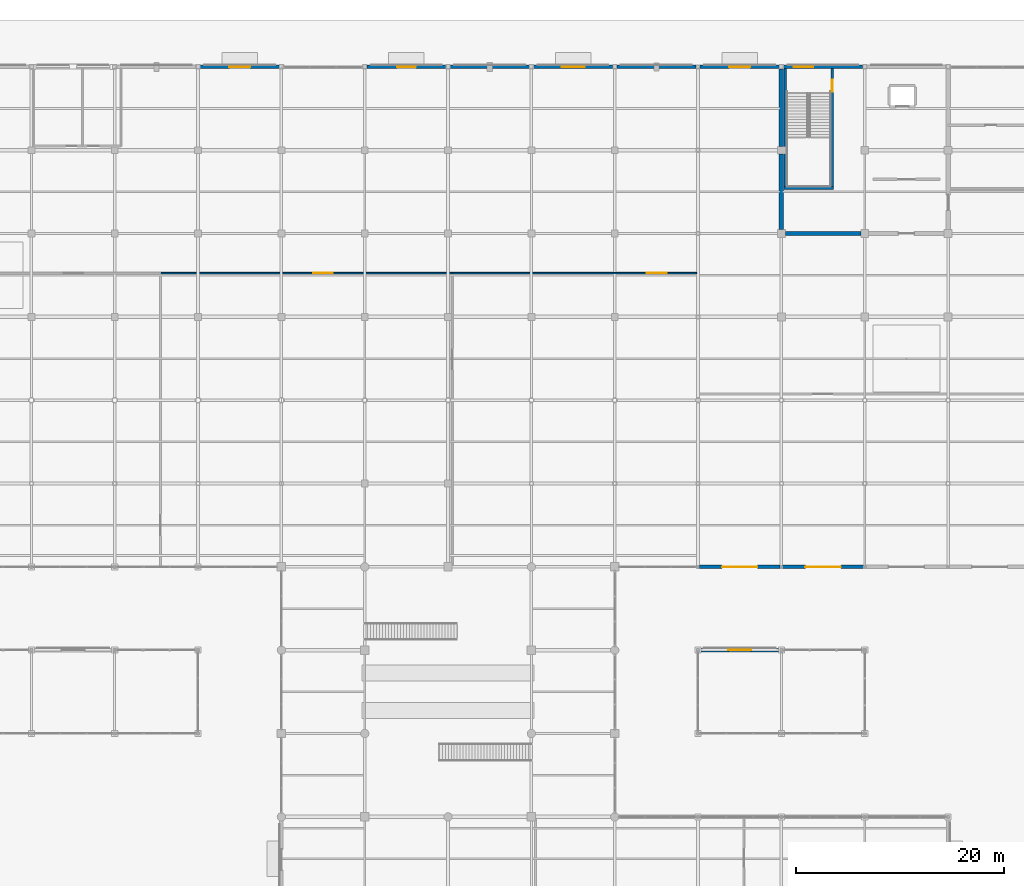
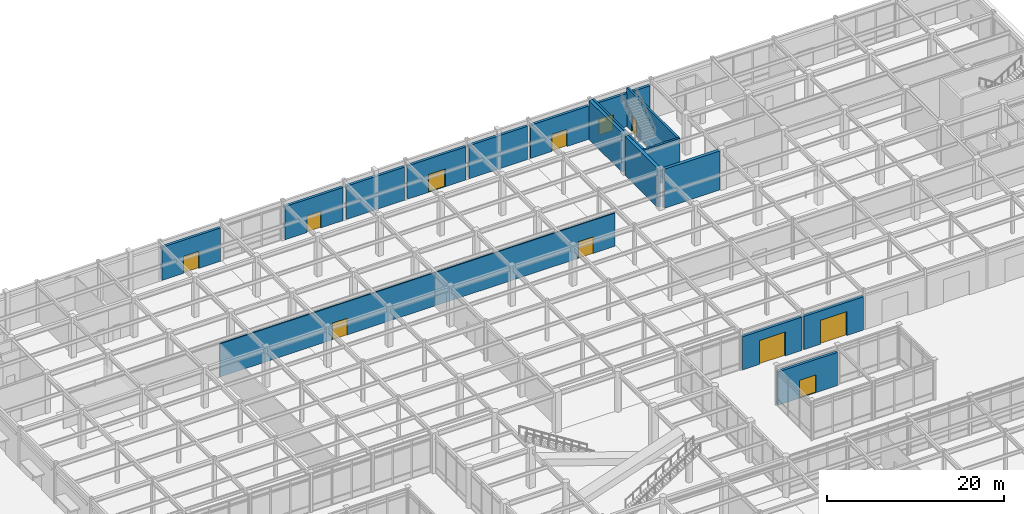
# One storey, part 105 of 128: 18 walls, 11 doors, 11 openings.
"""IFC4 building model written with IfcOpenShell, lengths in metres."""

from ifc_helpers import new_model, si_unit, direction, frame, frame_2d, origin, place, context, subcontext, project, spatial, rectangle, extrude, material, layer, layer_set, type_object, element, fill, save


model = new_model("IFC4")

# Units and contexts
model_context = context("Model", 3, precision=1e-05, world=origin(), true_north=direction((0.0, 1.0)))
body_context = subcontext(model_context, "Body", "Model", "MODEL_VIEW")
ifc_project = project(units=[si_unit("LENGTHUNIT", "METRE"), si_unit("AREAUNIT", "SQUARE_METRE"), si_unit("VOLUMEUNIT", "CUBIC_METRE"), si_unit("PLANEANGLEUNIT", "RADIAN"), si_unit("MASSUNIT", "GRAM", prefix="KILO")], contexts=[model_context])

# Site, building, storey
site_placement = place(None, origin())
site = spatial("IfcSite", under=ifc_project, at=site_placement, CompositionType="ELEMENT")
building_placement = place(site_placement, origin())
building = spatial("IfcBuilding", under=site, at=building_placement, Name="Solmirada Galleria", CompositionType="ELEMENT")
storey_placement = place(building_placement, origin())
storey = spatial("IfcBuildingStorey", under=building, at=storey_placement, Name="L00", CompositionType="ELEMENT", Elevation=0.0)

# Walls
ifc_material_1 = material(Name="Concrete C40/50", Category="concrete")
ifc_layer_1 = layer(ifc_material_1, 0.419921875)
ifc_layer_set_1 = layer_set([ifc_layer_1], Name="Concrete C40/50")
wall_type_1 = type_object("IfcWallType", Name="WL-CORE-420", PredefinedType="SHEAR", material=ifc_layer_set_1)
for number, where, z_axis, x_axis, name in (
    (1, (128.375, 104.0, 0.0), (0.0, 0.0, 1.0), (1.0, 0.0, 0.0), "Core C3 shear wall L00 S1"),
    (2, (128.0, 104.375, 0.0), (0.0, 0.0, 1.0), (0.0, 1.0, 0.0), "Core C3 shear wall L00 W1"),
):
    element("IfcWall", number, at=place(storey_placement, frame(where, z_axis=z_axis, x_axis=x_axis)), inside=storey, type_object=wall_type_1, Name=name, PredefinedType="SHEAR", context=body_context, shape_type="SweptSolid", body=[
        extrude(rectangle(XDim=7.25, YDim=0.419921875, at=frame_2d((3.625, 0.0))), origin(), (0.0, 0.0, 1.0), 5.3798828125),
    ])
wall_1_placement = place(storey_placement, frame((128.0, 112.375, 0.0), z_axis=(0.0, 0.0, 1.0), x_axis=(0.0, 1.0, 0.0)))
element("IfcWall", 3, at=wall_1_placement, inside=storey, type_object=wall_type_1, Name="Core C3 shear wall L00 W2", PredefinedType="SHEAR", context=body_context, shape_type="SweptSolid", body=[
    extrude(rectangle(XDim=7.422119140625, YDim=0.419921875, at=frame_2d((3.7109375, 0.0))), origin(), (0.0, 0.0, 1.0), 5.3798828125),
])

# Wall, opening, door
ifc_material_2 = material(Name="Precast concrete C40/50", Category="concrete")
ifc_layer_2 = layer(ifc_material_2, 0.340087890625)
ifc_layer_set_2 = layer_set([ifc_layer_2], Name="Precast concrete C40/50")
wall_type_2 = type_object("IfcWallType", Name="WL-EXT-340", PredefinedType="STANDARD", material=ifc_layer_set_2)
wall_2_placement = place(storey_placement, frame((72.202880859375, 120.0, 0.0), z_axis=(0.0, 0.0, 1.0), x_axis=(1.0, 0.0, 0.0)))
wall_2 = element("IfcWall", 4, at=wall_2_placement, inside=storey, type_object=wall_type_2, Name="Exterior wall L00 bay 020", PredefinedType="STANDARD", context=body_context, shape_type="SweptSolid", body=[
    extrude(rectangle(XDim=7.59423828125, YDim=0.340087890625, at=frame_2d((3.797119140625, 0.0))), origin(), (0.0, 0.0, 1.0), 4.580078125),
])
opening_1_placement = place(wall_2_placement, frame((2.797119140625, 0.0, 0.0)))
opening_1 = element("IfcOpeningElement", 5, at=opening_1_placement, cuts=wall_2, Name="Opening ED-007", PredefinedType="OPENING", context=body_context, shape_type="SweptSolid", body=[
    extrude(rectangle(XDim=2.0, YDim=2.35009765625, at=frame_2d((1.0, 1.175048828125))), frame((0.0, 0.179931640625, 0.0), z_axis=(0.0, -1.0, 0.0), x_axis=(1.0, 0.0, 0.0)), (0.0, 0.0, 1.0), 0.360107421875),
])
ifc_material_3 = material(Name="Thermally broken aluminium and laminated glass door", Category="aluminium")
door_type_1 = type_object("IfcDoorType", Name="DR-ENT-200X235", OperationType="DOUBLE_DOOR_SINGLE_SWING", PredefinedType="DOOR", material=ifc_material_3)
door_1_placement = place(opening_1_placement, origin())
door_1 = element("IfcDoor", 6, at=door_1_placement, inside=storey, type_object=door_type_1, Name="Public avenue entrance door ED-007", OperationType="DOUBLE_DOOR_SINGLE_SWING", OverallHeight=2.35009765625, OverallWidth=2.0, PredefinedType="DOOR", context=body_context, shape_type="SweptSolid", body=[
    extrude(rectangle(XDim=2.0, YDim=2.35009765625, at=frame_2d((1.0, 1.175048828125))), frame((0.0, 0.02490234375, 0.0), z_axis=(0.0, -1.0, 0.0), x_axis=(1.0, 0.0, 0.0)), (0.0, 0.0, 1.0), 0.050048828125),
])
fill(opening_1, door_1)

wall_3_placement = place(storey_placement, frame((88.202880859375, 120.0, 0.0), z_axis=(0.0, 0.0, 1.0), x_axis=(1.0, 0.0, 0.0)))
wall_3 = element("IfcWall", 7, at=wall_3_placement, inside=storey, type_object=wall_type_2, Name="Exterior wall L00 bay 022", PredefinedType="STANDARD", context=body_context, shape_type="SweptSolid", body=[
    extrude(rectangle(XDim=7.59423828125, YDim=0.340087890625, at=frame_2d((3.797119140625, 0.0))), origin(), (0.0, 0.0, 1.0), 4.580078125),
])
opening_2_placement = place(wall_3_placement, frame((2.89697265625, 0.0, 0.0)))
opening_2 = element("IfcOpeningElement", 8, at=opening_2_placement, cuts=wall_3, Name="Opening ED-008", PredefinedType="OPENING", context=body_context, shape_type="SweptSolid", body=[
    extrude(rectangle(XDim=1.800048828125, YDim=2.300048828125, at=frame_2d((0.89990234375, 1.14990234375))), frame((0.0, 0.179931640625, 0.0), z_axis=(0.0, -1.0, 0.0), x_axis=(1.0, 0.0, 0.0)), (0.0, 0.0, 1.0), 0.360107421875),
])
door_type_2 = type_object("IfcDoorType", Name="DR-ENT-180X230", OperationType="DOUBLE_DOOR_SINGLE_SWING", PredefinedType="DOOR", material=ifc_material_3)
door_2_placement = place(opening_2_placement, origin())
door_2 = element("IfcDoor", 9, at=door_2_placement, inside=storey, type_object=door_type_2, Name="Public avenue entrance door ED-008", OperationType="DOUBLE_DOOR_SINGLE_SWING", OverallHeight=2.300048828125, OverallWidth=1.800048828125, PredefinedType="DOOR", context=body_context, shape_type="SweptSolid", body=[
    extrude(rectangle(XDim=1.800048828125, YDim=2.300048828125, at=frame_2d((0.89990234375, 1.14990234375))), frame((0.0, 0.02490234375, 0.0), z_axis=(0.0, -1.0, 0.0), x_axis=(1.0, 0.0, 0.0)), (0.0, 0.0, 1.0), 0.050048828125),
])
fill(opening_2, door_2)

# Wall
wall_4_placement = place(storey_placement, frame((96.202880859375, 120.0, 0.0), z_axis=(0.0, 0.0, 1.0), x_axis=(1.0, 0.0, 0.0)))
element("IfcWall", 10, at=wall_4_placement, inside=storey, type_object=wall_type_2, Name="Exterior wall L00 bay 023", PredefinedType="STANDARD", context=body_context, shape_type="SweptSolid", body=[
    extrude(rectangle(XDim=7.59423828125, YDim=0.340087890625, at=frame_2d((3.797119140625, 0.0))), origin(), (0.0, 0.0, 1.0), 4.580078125),
])

# Wall, opening, door
wall_5_placement = place(storey_placement, frame((104.202880859375, 120.0, 0.0), z_axis=(0.0, 0.0, 1.0), x_axis=(1.0, 0.0, 0.0)))
wall_5 = element("IfcWall", 11, at=wall_5_placement, inside=storey, type_object=wall_type_2, Name="Exterior wall L00 bay 024", PredefinedType="STANDARD", context=body_context, shape_type="SweptSolid", body=[
    extrude(rectangle(XDim=7.59423828125, YDim=0.340087890625, at=frame_2d((3.797119140625, 0.0))), origin(), (0.0, 0.0, 1.0), 4.580078125),
])
opening_3_placement = place(wall_5_placement, frame((2.697021484375, 0.0, 0.0)))
opening_3 = element("IfcOpeningElement", 12, at=opening_3_placement, cuts=wall_5, Name="Opening ED-009", PredefinedType="OPENING", context=body_context, shape_type="SweptSolid", body=[
    extrude(rectangle(XDim=2.199951171875, YDim=2.449951171875, at=frame_2d((1.10009765625, 1.22509765625))), frame((0.0, 0.179931640625, 0.0), z_axis=(0.0, -1.0, 0.0), x_axis=(1.0, 0.0, 0.0)), (0.0, 0.0, 1.0), 0.360107421875),
])
door_type_3 = type_object("IfcDoorType", Name="DR-ENT-220X245", OperationType="DOUBLE_DOOR_SINGLE_SWING", PredefinedType="DOOR", material=ifc_material_3)
door_3_placement = place(opening_3_placement, origin())
door_3 = element("IfcDoor", 13, at=door_3_placement, inside=storey, type_object=door_type_3, Name="Public avenue entrance door ED-009", OperationType="DOUBLE_DOOR_SINGLE_SWING", OverallHeight=2.449951171875, OverallWidth=2.199951171875, PredefinedType="DOOR", context=body_context, shape_type="SweptSolid", body=[
    extrude(rectangle(XDim=2.199951171875, YDim=2.449951171875, at=frame_2d((1.10009765625, 1.22509765625))), frame((0.0, 0.02490234375, 0.0), z_axis=(0.0, -1.0, 0.0), x_axis=(1.0, 0.0, 0.0)), (0.0, 0.0, 1.0), 0.050048828125),
])
fill(opening_3, door_3)

# Wall
wall_6_placement = place(storey_placement, frame((112.202880859375, 120.0, 0.0), z_axis=(0.0, 0.0, 1.0), x_axis=(1.0, 0.0, 0.0)))
element("IfcWall", 14, at=wall_6_placement, inside=storey, type_object=wall_type_2, Name="Exterior wall L00 bay 025", PredefinedType="STANDARD", context=body_context, shape_type="SweptSolid", body=[
    extrude(rectangle(XDim=7.619140625, YDim=0.340087890625, at=frame_2d((3.8095703125, 0.0))), origin(), (0.0, 0.0, 1.0), 4.580078125),
])

# Wall, opening, door
wall_7_placement = place(storey_placement, frame((120.177978515625, 120.0, 0.0), z_axis=(0.0, 0.0, 1.0), x_axis=(1.0, 0.0, 0.0)))
wall_7 = element("IfcWall", 15, at=wall_7_placement, inside=storey, type_object=wall_type_2, Name="Exterior wall L00 bay 026", PredefinedType="STANDARD", context=body_context, shape_type="SweptSolid", body=[
    extrude(rectangle(XDim=7.619140625, YDim=0.340087890625, at=frame_2d((3.8095703125, 0.0))), origin(), (0.0, 0.0, 1.0), 4.580078125),
])
opening_4_placement = place(wall_7_placement, frame((2.80908203125, 0.0, 0.0)))
opening_4 = element("IfcOpeningElement", 16, at=opening_4_placement, cuts=wall_7, Name="Opening ED-010", PredefinedType="OPENING", context=body_context, shape_type="SweptSolid", body=[
    extrude(rectangle(XDim=2.0, YDim=2.35009765625, at=frame_2d((1.0, 1.175048828125))), frame((0.0, 0.179931640625, 0.0), z_axis=(0.0, -1.0, 0.0), x_axis=(1.0, 0.0, 0.0)), (0.0, 0.0, 1.0), 0.360107421875),
])
door_4_placement = place(opening_4_placement, origin())
door_4 = element("IfcDoor", 17, at=door_4_placement, inside=storey, type_object=door_type_1, Name="Public avenue entrance door ED-010", OperationType="DOUBLE_DOOR_SINGLE_SWING", OverallHeight=2.35009765625, OverallWidth=2.0, PredefinedType="DOOR", context=body_context, shape_type="SweptSolid", body=[
    extrude(rectangle(XDim=2.0, YDim=2.35009765625, at=frame_2d((1.0, 1.175048828125))), frame((0.0, 0.02490234375, 0.0), z_axis=(0.0, -1.0, 0.0), x_axis=(1.0, 0.0, 0.0)), (0.0, 0.0, 1.0), 0.050048828125),
])
fill(opening_4, door_4)

wall_8_placement = place(storey_placement, frame((128.202880859375, 120.0, 0.0), z_axis=(0.0, 0.0, 1.0), x_axis=(1.0, 0.0, 0.0)))
wall_8 = element("IfcWall", 18, at=wall_8_placement, inside=storey, type_object=wall_type_2, Name="Exterior wall L00 bay 027", PredefinedType="STANDARD", context=body_context, shape_type="SweptSolid", body=[
    extrude(rectangle(XDim=7.59423828125, YDim=0.340087890625, at=frame_2d((3.797119140625, 0.0))), origin(), (0.0, 0.0, 1.0), 4.580078125),
])
opening_5_placement = place(wall_8_placement, frame((1.0, 0.0, 0.0)))
opening_5 = element("IfcOpeningElement", 19, at=opening_5_placement, cuts=wall_8, Name="Opening ED-011", PredefinedType="OPENING", context=body_context, shape_type="SweptSolid", body=[
    extrude(rectangle(XDim=1.85009765625, YDim=2.199951171875, at=frame_2d((0.925048828125, 1.10009765625))), frame((0.0, 0.179931640625, 0.0), z_axis=(0.0, -1.0, 0.0), x_axis=(1.0, 0.0, 0.0)), (0.0, 0.0, 1.0), 0.360107421875),
])
ifc_material_4 = material(Name="Painted galvanized steel door assembly", Category="steel")
door_type_4 = type_object("IfcDoorType", Name="DR-EXIT-185X220", OperationType="DOUBLE_DOOR_SINGLE_SWING", PredefinedType="DOOR", material=ifc_material_4)
door_5_placement = place(opening_5_placement, origin())
door_5 = element("IfcDoor", 20, at=door_5_placement, inside=storey, type_object=door_type_4, Name="Exit stair ST3 exterior discharge door ED-011", OperationType="DOUBLE_DOOR_SINGLE_SWING", OverallHeight=2.199951171875, OverallWidth=1.85009765625, PredefinedType="DOOR", context=body_context, shape_type="SweptSolid", body=[
    extrude(rectangle(XDim=1.85009765625, YDim=2.199951171875, at=frame_2d((0.925048828125, 1.10009765625))), frame((0.0, 0.02490234375, 0.0), z_axis=(0.0, -1.0, 0.0), x_axis=(1.0, 0.0, 0.0)), (0.0, 0.0, 1.0), 0.050048828125),
])
fill(opening_5, door_5)

wall_9_placement = place(storey_placement, frame((135.873046875, 72.0, 0.0), z_axis=(0.0, 0.0, 1.0), x_axis=(-1.0, 0.0, 0.0)))
wall_9 = element("IfcWall", 21, at=wall_9_placement, inside=storey, type_object=wall_type_2, Name="Exterior wall L00 bay 044", PredefinedType="STANDARD", context=body_context, shape_type="SweptSolid", body=[
    extrude(rectangle(XDim=7.74609375, YDim=0.340087890625, at=frame_2d((3.873046875, 0.0))), origin(), (0.0, 0.0, 1.0), 4.580078125),
])
opening_6_placement = place(wall_9_placement, frame((2.173095703125, 0.0, 0.0)))
opening_6 = element("IfcOpeningElement", 22, at=opening_6_placement, cuts=wall_9, Name="Opening DS-021", PredefinedType="OPENING", context=body_context, shape_type="SweptSolid", body=[
    extrude(rectangle(XDim=3.39990234375, YDim=3.300048828125, at=frame_2d((1.699951171875, 1.64990234375))), frame((0.0, 0.179931640625, 0.0), z_axis=(0.0, -1.0, 0.0), x_axis=(1.0, 0.0, 0.0)), (0.0, 0.0, 1.0), 0.360107421875),
])
door_type_5 = type_object("IfcDoorType", Name="DR-DOCK-340X330", OperationType="ROLLINGUP", PredefinedType="DOOR", material=ifc_material_4)
door_6_placement = place(opening_6_placement, origin())
door_6 = element("IfcDoor", 23, at=door_6_placement, inside=storey, type_object=door_type_5, Name="Loading dock overhead roller shutter DS-021", OperationType="ROLLINGUP", OverallHeight=3.300048828125, OverallWidth=3.39990234375, PredefinedType="DOOR", context=body_context, shape_type="SweptSolid", body=[
    extrude(rectangle(XDim=3.39990234375, YDim=3.300048828125, at=frame_2d((1.699951171875, 1.64990234375))), frame((0.0, 0.02490234375, 0.0), z_axis=(0.0, -1.0, 0.0), x_axis=(1.0, 0.0, 0.0)), (0.0, 0.0, 1.0), 0.050048828125),
])
fill(opening_6, door_6)

wall_10_placement = place(storey_placement, frame((127.873046875, 72.0, 0.0), z_axis=(0.0, 0.0, 1.0), x_axis=(-1.0, 0.0, 0.0)))
wall_10 = element("IfcWall", 24, at=wall_10_placement, inside=storey, type_object=wall_type_2, Name="Exterior wall L00 bay 045", PredefinedType="STANDARD", context=body_context, shape_type="SweptSolid", body=[
    extrude(rectangle(XDim=7.74609375, YDim=0.340087890625, at=frame_2d((3.873046875, 0.0))), origin(), (0.0, 0.0, 1.0), 4.580078125),
])
opening_7_placement = place(wall_10_placement, frame((2.173095703125, 0.0, 0.0)))
opening_7 = element("IfcOpeningElement", 25, at=opening_7_placement, cuts=wall_10, Name="Opening DS-022", PredefinedType="OPENING", context=body_context, shape_type="SweptSolid", body=[
    extrude(rectangle(XDim=3.39990234375, YDim=3.300048828125, at=frame_2d((1.699951171875, 1.64990234375))), frame((0.0, 0.179931640625, 0.0), z_axis=(0.0, -1.0, 0.0), x_axis=(1.0, 0.0, 0.0)), (0.0, 0.0, 1.0), 0.360107421875),
])
door_7_placement = place(opening_7_placement, origin())
door_7 = element("IfcDoor", 26, at=door_7_placement, inside=storey, type_object=door_type_5, Name="Loading dock overhead roller shutter DS-022", OperationType="ROLLINGUP", OverallHeight=3.300048828125, OverallWidth=3.39990234375, PredefinedType="DOOR", context=body_context, shape_type="SweptSolid", body=[
    extrude(rectangle(XDim=3.39990234375, YDim=3.300048828125, at=frame_2d((1.699951171875, 1.64990234375))), frame((0.0, 0.02490234375, 0.0), z_axis=(0.0, -1.0, 0.0), x_axis=(1.0, 0.0, 0.0)), (0.0, 0.0, 1.0), 0.050048828125),
])
fill(opening_7, door_7)

wall_11_placement = place(storey_placement, frame((120.126953125, 64.0, 0.0), z_axis=(0.0, 0.0, 1.0), x_axis=(1.0, 0.0, 0.0)))
wall_11 = element("IfcWall", 27, at=wall_11_placement, inside=storey, type_object=wall_type_2, Name="Exterior wall L00 bay 110", PredefinedType="STANDARD", context=body_context, shape_type="SweptSolid", body=[
    extrude(rectangle(XDim=7.74609375, YDim=0.340087890625, at=frame_2d((3.873046875, 0.0))), origin(), (0.0, 0.0, 1.0), 4.580078125),
])
opening_8_placement = place(wall_11_placement, frame((2.77294921875, 0.0, 0.0)))
opening_8 = element("IfcOpeningElement", 28, at=opening_8_placement, cuts=wall_11, Name="Opening ED-055", PredefinedType="OPENING", context=body_context, shape_type="SweptSolid", body=[
    extrude(rectangle(XDim=2.199951171875, YDim=2.449951171875, at=frame_2d((1.10009765625, 1.22509765625))), frame((0.0, 0.179931640625, 0.0), z_axis=(0.0, -1.0, 0.0), x_axis=(1.0, 0.0, 0.0)), (0.0, 0.0, 1.0), 0.360107421875),
])
door_8_placement = place(opening_8_placement, origin())
door_8 = element("IfcDoor", 29, at=door_8_placement, inside=storey, type_object=door_type_3, Name="West arcade welcome portal door ED-055", OperationType="DOUBLE_DOOR_SINGLE_SWING", OverallHeight=2.449951171875, OverallWidth=2.199951171875, PredefinedType="DOOR", context=body_context, shape_type="SweptSolid", body=[
    extrude(rectangle(XDim=2.199951171875, YDim=2.449951171875, at=frame_2d((1.10009765625, 1.22509765625))), frame((0.0, 0.02490234375, 0.0), z_axis=(0.0, -1.0, 0.0), x_axis=(1.0, 0.0, 0.0)), (0.0, 0.0, 1.0), 0.050048828125),
])
fill(opening_8, door_8)

ifc_material_5 = material(Name="Acoustic gypsum board partition")
ifc_layer_3 = layer(ifc_material_5, 0.159912109375)
ifc_layer_set_3 = layer_set([ifc_layer_3], Name="Acoustic gypsum board partition")
wall_type_3 = type_object("IfcWallType", Name="WL-PART-160", PredefinedType="PARTITIONING", material=ifc_layer_set_3)
wall_12_placement = place(storey_placement, frame((68.39990234375, 100.199951171875, 0.0), z_axis=(0.0, 0.0, 1.0), x_axis=(1.0, 0.0, 0.0)))
wall_12 = element("IfcWall", 30, at=wall_12_placement, inside=storey, type_object=wall_type_3, Name="Partition L00-016 (North Promenade C L00)", PredefinedType="PARTITIONING", context=body_context, shape_type="SweptSolid", body=[
    extrude(rectangle(XDim=28.0, YDim=0.159912109375, at=frame_2d((14.0, 0.0))), origin(), (0.0, 0.0, 1.0), 4.580078125),
])
opening_9_placement = place(wall_12_placement, frame((14.637939453125, 0.0, 0.0)))
opening_9 = element("IfcOpeningElement", 31, at=opening_9_placement, cuts=wall_12, Name="Opening ID-267", PredefinedType="OPENING", context=body_context, shape_type="SweptSolid", body=[
    extrude(rectangle(XDim=1.89990234375, YDim=2.300048828125, at=frame_2d((0.949951171875, 1.14990234375))), frame((0.0, 0.08984375, 0.0), z_axis=(0.0, -1.0, 0.0), x_axis=(1.0, 0.0, 0.0)), (0.0, 0.0, 1.0), 0.179931640625),
])
ifc_material_6 = material(Name="Architectural hardwood veneer door", Category="wood")
door_type_6 = type_object("IfcDoorType", Name="DR-DEPT-190X230", OperationType="DOUBLE_DOOR_SINGLE_SWING", PredefinedType="DOOR", material=ifc_material_6)
door_9_placement = place(opening_9_placement, origin())
door_9 = element("IfcDoor", 32, at=door_9_placement, inside=storey, type_object=door_type_6, Name="North Promenade C L00 door ID-267", OperationType="DOUBLE_DOOR_SINGLE_SWING", OverallHeight=2.300048828125, OverallWidth=1.89990234375, PredefinedType="DOOR", context=body_context, shape_type="SweptSolid", body=[
    extrude(rectangle(XDim=1.89990234375, YDim=2.300048828125, at=frame_2d((0.949951171875, 1.14990234375))), frame((0.0, 0.02490234375, 0.0), z_axis=(0.0, -1.0, 0.0), x_axis=(1.0, 0.0, 0.0)), (0.0, 0.0, 1.0), 0.050048828125),
])
fill(opening_9, door_9)

wall_13_placement = place(storey_placement, frame((96.39990234375, 100.199951171875, 0.0), z_axis=(0.0, 0.0, 1.0), x_axis=(1.0, 0.0, 0.0)))
wall_13 = element("IfcWall", 33, at=wall_13_placement, inside=storey, type_object=wall_type_3, Name="Partition L00-017 (North Promenade E L00)", PredefinedType="PARTITIONING", context=body_context, shape_type="SweptSolid", body=[
    extrude(rectangle(XDim=23.4501953125, YDim=0.159912109375, at=frame_2d((11.72509765625, 0.0))), origin(), (0.0, 0.0, 1.0), 4.580078125),
])
opening_10_placement = place(wall_13_placement, frame((18.673095703125, 0.0, 0.0)))
opening_10 = element("IfcOpeningElement", 34, at=opening_10_placement, cuts=wall_13, Name="Opening ID-268", PredefinedType="OPENING", context=body_context, shape_type="SweptSolid", body=[
    extrude(rectangle(XDim=1.89990234375, YDim=2.300048828125, at=frame_2d((0.949951171875, 1.14990234375))), frame((0.0, 0.08984375, 0.0), z_axis=(0.0, -1.0, 0.0), x_axis=(1.0, 0.0, 0.0)), (0.0, 0.0, 1.0), 0.179931640625),
])
door_10_placement = place(opening_10_placement, origin())
door_10 = element("IfcDoor", 35, at=door_10_placement, inside=storey, type_object=door_type_6, Name="North Promenade E L00 door ID-268", OperationType="DOUBLE_DOOR_SINGLE_SWING", OverallHeight=2.300048828125, OverallWidth=1.89990234375, PredefinedType="DOOR", context=body_context, shape_type="SweptSolid", body=[
    extrude(rectangle(XDim=1.89990234375, YDim=2.300048828125, at=frame_2d((0.949951171875, 1.14990234375))), frame((0.0, 0.02490234375, 0.0), z_axis=(0.0, -1.0, 0.0), x_axis=(1.0, 0.0, 0.0)), (0.0, 0.0, 1.0), 0.050048828125),
])
fill(opening_10, door_10)

# Walls
ifc_layer_4 = layer(ifc_material_1, 0.260009765625)
ifc_layer_set_4 = layer_set([ifc_layer_4], Name="Concrete C40/50")
wall_type_4 = type_object("IfcWallType", Name="WL-SHAFT-260", PredefinedType="SHEAR", material=ifc_layer_set_4)
wall_14_placement = place(storey_placement, frame((128.239990234375, 108.3701171875, 0.0), z_axis=(0.0, 0.0, 1.0), x_axis=(1.0, 0.0, 0.0)))
element("IfcWall", 36, at=wall_14_placement, inside=storey, type_object=wall_type_4, Name="Stair ST3 enclosure wall L00 S", PredefinedType="SHEAR", context=body_context, shape_type="SweptSolid", body=[
    extrude(rectangle(XDim=4.77001953125, YDim=0.260009765625, at=frame_2d((2.385009765625, 0.0))), origin(), (0.0, 0.0, 1.0), 5.3798828125),
])
wall_15_placement = place(storey_placement, frame((128.3701171875, 108.5, 0.0), z_axis=(0.0, 0.0, 1.0), x_axis=(0.0, 1.0, 0.0)))
element("IfcWall", 37, at=wall_15_placement, inside=storey, type_object=wall_type_4, Name="Stair ST3 enclosure wall L00 W", PredefinedType="SHEAR", context=body_context, shape_type="SweptSolid", body=[
    extrude(rectangle(XDim=11.35498046875, YDim=0.260009765625, at=frame_2d((5.677490234375, 0.0))), origin(), (0.0, 0.0, 1.0), 5.3798828125),
])

# Wall, opening, door
wall_16_placement = place(storey_placement, frame((132.8798828125, 108.5, 0.0), z_axis=(0.0, 0.0, 1.0), x_axis=(0.0, 1.0, 0.0)))
wall_16 = element("IfcWall", 38, at=wall_16_placement, inside=storey, type_object=wall_type_4, Name="Stair ST3 enclosure wall L00 E", PredefinedType="SHEAR", context=body_context, shape_type="SweptSolid", body=[
    extrude(rectangle(XDim=11.35498046875, YDim=0.260009765625, at=frame_2d((5.677490234375, 0.0))), origin(), (0.0, 0.0, 1.0), 5.3798828125),
])
opening_11_placement = place(wall_16_placement, frame((9.10009765625, 0.0, 0.0)))
opening_11 = element("IfcOpeningElement", 39, at=opening_11_placement, cuts=wall_16, Name="Opening SD-173", PredefinedType="OPENING", context=body_context, shape_type="SweptSolid", body=[
    extrude(rectangle(XDim=1.14990234375, YDim=2.14990234375, at=frame_2d((0.574951171875, 1.074951171875))), frame((0.0, 0.139892578125, 0.0), z_axis=(0.0, -1.0, 0.0), x_axis=(1.0, 0.0, 0.0)), (0.0, 0.0, 1.0), 0.280029296875),
])
ifc_material_7 = material(Name="Fire-rated painted steel door assembly", Category="steel")
door_type_7 = type_object("IfcDoorType", Name="DR-STAIR-115X215", OperationType="NOTDEFINED", PredefinedType="DOOR", material=ifc_material_7)
door_11_placement = place(opening_11_placement, origin())
door_11 = element("IfcDoor", 40, at=door_11_placement, inside=storey, type_object=door_type_7, Name="Exit stair ST3 enclosure fire door SD-173", OperationType="SINGLE_SWING_RIGHT", OverallHeight=2.14990234375, OverallWidth=1.14990234375, PredefinedType="DOOR", context=body_context, shape_type="SweptSolid", body=[
    extrude(rectangle(XDim=1.14990234375, YDim=2.14990234375, at=frame_2d((0.574951171875, 1.074951171875))), frame((0.0, 0.02490234375, 0.0), z_axis=(0.0, -1.0, 0.0), x_axis=(1.0, 0.0, 0.0)), (0.0, 0.0, 1.0), 0.050048828125),
])
fill(opening_11, door_11)

save(model, "model.ifc")
